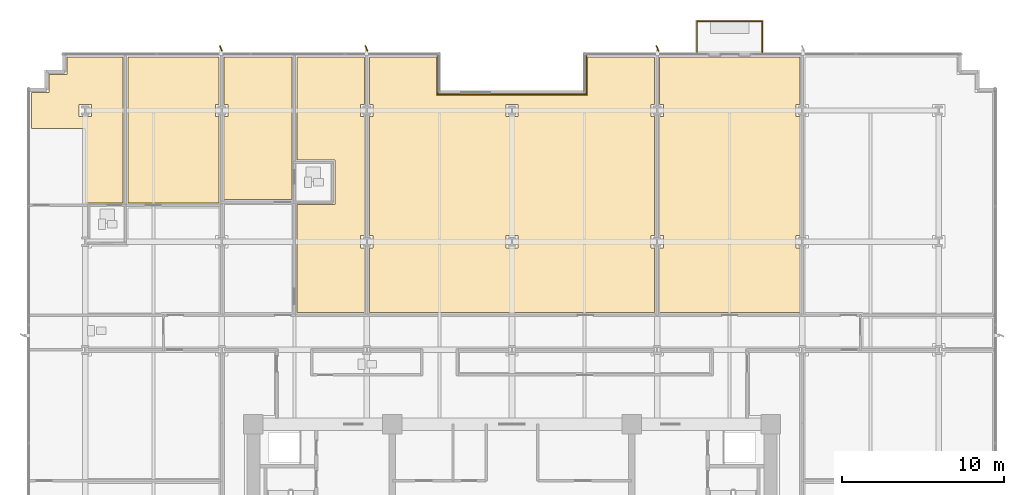
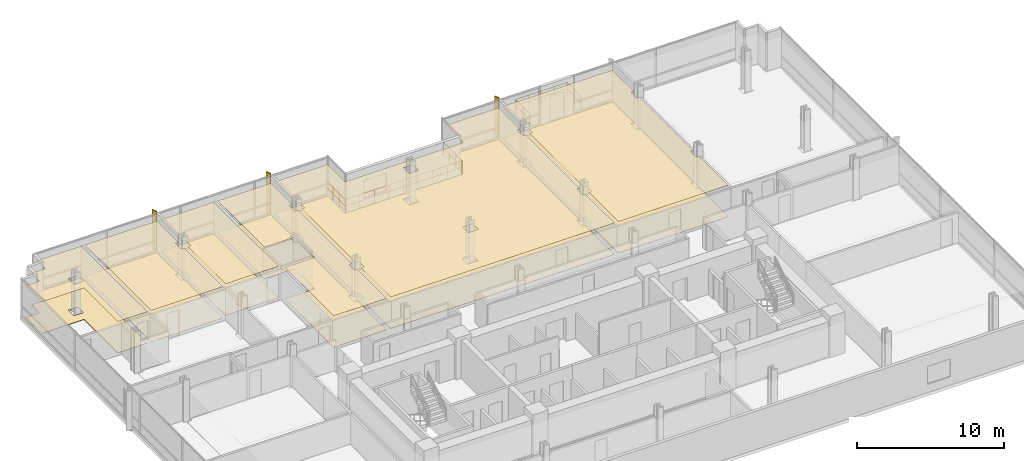
# One storey, part 19 of 21: 12 coverings, 6 railings, 3 shading devices.
"""IFC4 building model written with IfcOpenShell, lengths in metres."""

from ifc_helpers import new_model, si_unit, direction, frame, origin, origin_2d, place, context, subcontext, project, spatial, polyline, rectangle, circle, outline, extrude, material, layer, layer_set, type_object, element, save


model = new_model("IFC4")

# Units and contexts
model_context = context("Model", 3, precision=1e-05, world=origin(), true_north=direction((0.0, 1.0)))
body_context = subcontext(model_context, "Body", "Model", "MODEL_VIEW")
ifc_project = project(units=[si_unit("LENGTHUNIT", "METRE"), si_unit("AREAUNIT", "SQUARE_METRE"), si_unit("VOLUMEUNIT", "CUBIC_METRE"), si_unit("PLANEANGLEUNIT", "RADIAN"), si_unit("MASSUNIT", "GRAM", prefix="KILO")], contexts=[model_context])

# Site, building, storey
site_placement = place(None, origin())
site = spatial("IfcSite", under=ifc_project, at=site_placement, CompositionType="ELEMENT")
building_placement = place(site_placement, origin())
building = spatial("IfcBuilding", under=site, at=building_placement, Name="Solmavex Isthmus Hotel", CompositionType="ELEMENT")
storey_placement = place(building_placement, frame((0.0, 0.0, 60.89990234375)))
storey = spatial("IfcBuildingStorey", under=building, at=storey_placement, Name="L16", CompositionType="ELEMENT", Elevation=60.89990234375)

# Coverings
ifc_material_1 = material(Name="Gypsum plasterboard lining", Category="gypsum")
ifc_layer_1 = layer(ifc_material_1, 0.030029296875)
ifc_layer_set_1 = layer_set([ifc_layer_1], Name="Gypsum plasterboard lining")
covering_type_1 = type_object("IfcCoveringType", Name="COV-CEIL-GYP", PredefinedType="CEILING", material=ifc_layer_set_1)
covering_1_placement = place(storey_placement, frame((0.0, 0.0, 2.6201171875)))
element("IfcCovering", 1, at=covering_1_placement, inside=storey, type_object=covering_type_1, Name="Suspended Acoustic Ceiling L16-HB01", PredefinedType="CEILING", context=body_context, shape_type="SweptSolid", body=[
    extrude(outline(polyline([(-28.625, 18.02490234375), (-29.72509765625, 18.02490234375), (-29.72509765625, 15.800048828125), (-26.39990234375, 15.800048828125), (-26.39990234375, 11.193115234375), (-24.071044921875, 11.193115234375), (-24.071044921875, 20.22509765625), (-27.52490234375, 20.22509765625), (-27.52490234375, 19.125), (-28.625, 19.125), (-28.625, 18.02490234375)]), holes=[polyline([(-26.780029296875, 17.280029296875), (-26.02001953125, 17.280029296875), (-26.02001953125, 16.52001953125), (-26.780029296875, 16.52001953125), (-26.780029296875, 17.280029296875)])]), origin(), (0.0, 0.0, 1.0), 0.030029296875),
])
covering_2_placement = place(storey_placement, frame((0.0, 0.0, 2.6201171875)))
element("IfcCovering", 2, at=covering_2_placement, inside=storey, type_object=covering_type_1, Name="Suspended Acoustic Ceiling L16-HP01", PredefinedType="CEILING", context=body_context, shape_type="SweptSolid", body=[
    extrude(outline(polyline([(-18.10693359375, 16.52001953125), (-18.33203125, 16.52001953125), (-18.33203125, 17.280029296875), (-18.10693359375, 17.280029296875), (-18.10693359375, 20.22509765625), (-23.760986328125, 20.22509765625), (-23.760986328125, 11.193115234375), (-18.10693359375, 11.193115234375), (-18.10693359375, 16.52001953125)])), origin(), (0.0, 0.0, 1.0), 0.030029296875),
])
covering_3_placement = place(storey_placement, frame((0.0, 0.0, 2.6201171875)))
element("IfcCovering", 3, at=covering_3_placement, inside=storey, type_object=covering_type_1, Name="Suspended Acoustic Ceiling L16-SL02-BD", PredefinedType="CEILING", context=body_context, shape_type="SweptSolid", body=[
    extrude(outline(polyline([(-17.797119140625, 17.280029296875), (-17.572021484375, 17.280029296875), (-17.572021484375, 16.52001953125), (-17.797119140625, 16.52001953125), (-17.797119140625, 11.39306640625), (-13.618896484375, 11.39306640625), (-13.618896484375, 20.22509765625), (-17.797119140625, 20.22509765625), (-17.797119140625, 17.280029296875)])), origin(), (0.0, 0.0, 1.0), 0.030029296875),
])
covering_4_placement = place(storey_placement, frame((0.0, 0.0, 2.6201171875)))
element("IfcCovering", 4, at=covering_4_placement, inside=storey, type_object=covering_type_1, Name="Suspended Acoustic Ceiling L16-SV02", PredefinedType="CEILING", context=body_context, shape_type="SweptSolid", body=[
    extrude(outline(polyline([(-9.131103515625, 16.52001953125), (-9.35595703125, 16.52001953125), (-9.35595703125, 17.280029296875), (-9.131103515625, 17.280029296875), (-9.131103515625, 20.22509765625), (-13.30908203125, 20.22509765625), (-13.30908203125, 13.843017578125), (-10.958984375, 13.843017578125), (-10.958984375, 11.0830078125), (-13.30908203125, 11.0830078125), (-13.30908203125, 4.405029296875), (-9.131103515625, 4.405029296875), (-9.131103515625, 8.407958984375), (-9.35595703125, 8.407958984375), (-9.35595703125, 9.16796875), (-9.131103515625, 9.16796875), (-9.131103515625, 16.52001953125)])), origin(), (0.0, 0.0, 1.0), 0.030029296875),
])
covering_5_placement = place(storey_placement, frame((0.0, 0.0, 2.6201171875)))
element("IfcCovering", 5, at=covering_5_placement, inside=storey, type_object=covering_type_1, Name="Suspended Acoustic Ceiling L16-RM03", PredefinedType="CEILING", context=body_context, shape_type="SweptSolid", body=[
    extrude(outline(polyline([(-8.821044921875, 9.16796875), (-8.595947265625, 9.16796875), (-8.595947265625, 8.407958984375), (-8.821044921875, 8.407958984375), (-8.821044921875, 4.405029296875), (8.821044921875, 4.405029296875), (8.821044921875, 8.407958984375), (8.595947265625, 8.407958984375), (8.595947265625, 9.16796875), (8.821044921875, 9.16796875), (8.821044921875, 16.52001953125), (8.595947265625, 16.52001953125), (8.595947265625, 17.280029296875), (8.821044921875, 17.280029296875), (8.821044921875, 20.22509765625), (4.655029296875, 20.22509765625), (4.655029296875, 17.844970703125), (-4.655029296875, 17.844970703125), (-4.655029296875, 20.22509765625), (-8.821044921875, 20.22509765625), (-8.821044921875, 17.280029296875), (-8.595947265625, 17.280029296875), (-8.595947265625, 16.52001953125), (-8.821044921875, 16.52001953125), (-8.821044921875, 9.16796875)]), holes=[polyline([(-0.3798828125, 8.407958984375), (-0.3798828125, 9.16796875), (0.3798828125, 9.16796875), (0.3798828125, 8.407958984375), (-0.3798828125, 8.407958984375)]), polyline([(-0.3798828125, 17.280029296875), (0.3798828125, 17.280029296875), (0.3798828125, 16.52001953125), (-0.3798828125, 16.52001953125), (-0.3798828125, 17.280029296875)])]), origin(), (0.0, 0.0, 1.0), 0.030029296875),
])
covering_6_placement = place(storey_placement, frame((0.0, 0.0, 2.6201171875)))
element("IfcCovering", 6, at=covering_6_placement, inside=storey, type_object=covering_type_1, Name="Suspended Acoustic Ceiling L16-RM04", PredefinedType="CEILING", context=body_context, shape_type="SweptSolid", body=[
    extrude(outline(polyline([(9.131103515625, 9.16796875), (9.35595703125, 9.16796875), (9.35595703125, 8.407958984375), (9.131103515625, 8.407958984375), (9.131103515625, 4.405029296875), (17.797119140625, 4.405029296875), (17.797119140625, 8.407958984375), (17.572021484375, 8.407958984375), (17.572021484375, 9.16796875), (17.797119140625, 9.16796875), (17.797119140625, 16.52001953125), (17.572021484375, 16.52001953125), (17.572021484375, 17.280029296875), (17.797119140625, 17.280029296875), (17.797119140625, 20.22509765625), (9.131103515625, 20.22509765625), (9.131103515625, 17.280029296875), (9.35595703125, 17.280029296875), (9.35595703125, 16.52001953125), (9.131103515625, 16.52001953125), (9.131103515625, 9.16796875)])), origin(), (0.0, 0.0, 1.0), 0.030029296875),
])
ifc_material_2 = material(Name="Travertine natural stone", Category="masonry")
ifc_layer_2 = layer(ifc_material_2, 0.02490234375)
ifc_layer_set_2 = layer_set([ifc_layer_2], Name="Travertine natural stone")
covering_type_2 = type_object("IfcCoveringType", Name="COV-FLOR-STN", PredefinedType="FLOORING", material=ifc_layer_set_2)
covering_7_placement = place(storey_placement, origin())
element("IfcCovering", 7, at=covering_7_placement, inside=storey, type_object=covering_type_2, Name="Stone and Timber Floor Finish L16-HB01", PredefinedType="FLOORING", context=body_context, shape_type="SweptSolid", body=[
    extrude(outline(polyline([(-28.625, 18.02490234375), (-29.72509765625, 18.02490234375), (-29.72509765625, 15.800048828125), (-26.39990234375, 15.800048828125), (-26.39990234375, 11.193115234375), (-24.071044921875, 11.193115234375), (-24.071044921875, 20.22509765625), (-27.52490234375, 20.22509765625), (-27.52490234375, 19.125), (-28.625, 19.125), (-28.625, 18.02490234375)]), holes=[polyline([(-26.780029296875, 17.280029296875), (-26.02001953125, 17.280029296875), (-26.02001953125, 16.52001953125), (-26.780029296875, 16.52001953125), (-26.780029296875, 17.280029296875)])]), origin(), (0.0, 0.0, 1.0), 0.025146484375),
])
covering_8_placement = place(storey_placement, origin())
element("IfcCovering", 8, at=covering_8_placement, inside=storey, type_object=covering_type_2, Name="Stone and Timber Floor Finish L16-HP01", PredefinedType="FLOORING", context=body_context, shape_type="SweptSolid", body=[
    extrude(outline(polyline([(-18.10693359375, 16.52001953125), (-18.33203125, 16.52001953125), (-18.33203125, 17.280029296875), (-18.10693359375, 17.280029296875), (-18.10693359375, 20.22509765625), (-23.760986328125, 20.22509765625), (-23.760986328125, 11.193115234375), (-18.10693359375, 11.193115234375), (-18.10693359375, 16.52001953125)])), origin(), (0.0, 0.0, 1.0), 0.025146484375),
])
covering_9_placement = place(storey_placement, origin())
element("IfcCovering", 9, at=covering_9_placement, inside=storey, type_object=covering_type_2, Name="Stone and Timber Floor Finish L16-SL02-BD", PredefinedType="FLOORING", context=body_context, shape_type="SweptSolid", body=[
    extrude(outline(polyline([(-17.797119140625, 17.280029296875), (-17.572021484375, 17.280029296875), (-17.572021484375, 16.52001953125), (-17.797119140625, 16.52001953125), (-17.797119140625, 11.39306640625), (-13.618896484375, 11.39306640625), (-13.618896484375, 20.22509765625), (-17.797119140625, 20.22509765625), (-17.797119140625, 17.280029296875)])), origin(), (0.0, 0.0, 1.0), 0.025146484375),
])
covering_10_placement = place(storey_placement, origin())
element("IfcCovering", 10, at=covering_10_placement, inside=storey, type_object=covering_type_2, Name="Stone and Timber Floor Finish L16-SV02", PredefinedType="FLOORING", context=body_context, shape_type="SweptSolid", body=[
    extrude(outline(polyline([(-9.131103515625, 16.52001953125), (-9.35595703125, 16.52001953125), (-9.35595703125, 17.280029296875), (-9.131103515625, 17.280029296875), (-9.131103515625, 20.22509765625), (-13.30908203125, 20.22509765625), (-13.30908203125, 13.843017578125), (-10.958984375, 13.843017578125), (-10.958984375, 11.0830078125), (-13.30908203125, 11.0830078125), (-13.30908203125, 4.405029296875), (-9.131103515625, 4.405029296875), (-9.131103515625, 8.407958984375), (-9.35595703125, 8.407958984375), (-9.35595703125, 9.16796875), (-9.131103515625, 9.16796875), (-9.131103515625, 16.52001953125)])), origin(), (0.0, 0.0, 1.0), 0.025146484375),
])
covering_11_placement = place(storey_placement, origin())
element("IfcCovering", 11, at=covering_11_placement, inside=storey, type_object=covering_type_2, Name="Stone and Timber Floor Finish L16-RM03", PredefinedType="FLOORING", context=body_context, shape_type="SweptSolid", body=[
    extrude(outline(polyline([(-8.821044921875, 9.16796875), (-8.595947265625, 9.16796875), (-8.595947265625, 8.407958984375), (-8.821044921875, 8.407958984375), (-8.821044921875, 4.405029296875), (8.821044921875, 4.405029296875), (8.821044921875, 8.407958984375), (8.595947265625, 8.407958984375), (8.595947265625, 9.16796875), (8.821044921875, 9.16796875), (8.821044921875, 16.52001953125), (8.595947265625, 16.52001953125), (8.595947265625, 17.280029296875), (8.821044921875, 17.280029296875), (8.821044921875, 20.22509765625), (4.655029296875, 20.22509765625), (4.655029296875, 17.844970703125), (-4.655029296875, 17.844970703125), (-4.655029296875, 20.22509765625), (-8.821044921875, 20.22509765625), (-8.821044921875, 17.280029296875), (-8.595947265625, 17.280029296875), (-8.595947265625, 16.52001953125), (-8.821044921875, 16.52001953125), (-8.821044921875, 9.16796875)]), holes=[polyline([(-0.3798828125, 8.407958984375), (-0.3798828125, 9.16796875), (0.3798828125, 9.16796875), (0.3798828125, 8.407958984375), (-0.3798828125, 8.407958984375)]), polyline([(-0.3798828125, 17.280029296875), (0.3798828125, 17.280029296875), (0.3798828125, 16.52001953125), (-0.3798828125, 16.52001953125), (-0.3798828125, 17.280029296875)])]), origin(), (0.0, 0.0, 1.0), 0.025146484375),
])
covering_12_placement = place(storey_placement, origin())
element("IfcCovering", 12, at=covering_12_placement, inside=storey, type_object=covering_type_2, Name="Stone and Timber Floor Finish L16-RM04", PredefinedType="FLOORING", context=body_context, shape_type="SweptSolid", body=[
    extrude(outline(polyline([(9.131103515625, 9.16796875), (9.35595703125, 9.16796875), (9.35595703125, 8.407958984375), (9.131103515625, 8.407958984375), (9.131103515625, 4.405029296875), (17.797119140625, 4.405029296875), (17.797119140625, 8.407958984375), (17.572021484375, 8.407958984375), (17.572021484375, 9.16796875), (17.797119140625, 9.16796875), (17.797119140625, 16.52001953125), (17.572021484375, 16.52001953125), (17.572021484375, 17.280029296875), (17.797119140625, 17.280029296875), (17.797119140625, 20.22509765625), (9.131103515625, 20.22509765625), (9.131103515625, 17.280029296875), (9.35595703125, 17.280029296875), (9.35595703125, 16.52001953125), (9.131103515625, 16.52001953125), (9.131103515625, 9.16796875)])), origin(), (0.0, 0.0, 1.0), 0.025146484375),
])

# Railings
ifc_material_3 = material(Name="Clear low-E laminated glass", Category="glass")
ifc_layer_3 = layer(ifc_material_3, 0.080078125)
ifc_layer_set_3 = layer_set([ifc_layer_3], Name="Clear low-E laminated glass")
railing_type_1 = type_object("IfcRailingType", Name="RAIL-ATRIUM-1120", PredefinedType="BALUSTRADE", material=ifc_layer_set_3)
railing_1_placement = place(storey_placement, frame((-4.60009765625, 20.419921875, 0.0)))
element("IfcRailing", 13, at=railing_1_placement, inside=storey, type_object=railing_type_1, Name="Guardrail Balustrade L16-SGV-01", PredefinedType="BALUSTRADE", context=body_context, shape_type="SweptSolid", body=[
    extrude(circle(Radius=0.02392578125, at=origin_2d()), frame((0.0, 0.0, 1.1259765625), z_axis=(0.0, -1.0, 0.0), x_axis=(1.0, 0.0, 0.0)), (0.0, 0.0, 1.0), 2.52001953125),
    extrude(circle(Radius=0.02392578125, at=origin_2d()), frame((0.0, 0.0, 0.574951171875), z_axis=(0.0, -1.0, 0.0), x_axis=(1.0, 0.0, 0.0)), (0.0, 0.0, 1.0), 2.52001953125),
    extrude(circle(Radius=0.02099609375, at=origin_2d()), origin(), (0.0, 0.0, 1.0), 1.101806640625),
    extrude(circle(Radius=0.02099609375, at=origin_2d()), frame((0.0, -0.840087890625, 0.0)), (0.0, 0.0, 1.0), 1.101806640625),
    extrude(circle(Radius=0.02099609375, at=origin_2d()), frame((0.0, -1.679931640625, 0.0)), (0.0, 0.0, 1.0), 1.101806640625),
    extrude(circle(Radius=0.02099609375, at=origin_2d()), frame((0.0, -2.52001953125, 0.0)), (0.0, 0.0, 1.0), 1.101806640625),
])
railing_2_placement = place(storey_placement, frame((-4.60009765625, 17.89990234375, 0.0)))
element("IfcRailing", 14, at=railing_2_placement, inside=storey, type_object=railing_type_1, Name="Guardrail Balustrade L16-SGV-02", PredefinedType="BALUSTRADE", context=body_context, shape_type="SweptSolid", body=[
    extrude(circle(Radius=0.02392578125, at=origin_2d()), frame((0.0, 0.0, 1.1259765625), z_axis=(1.0, 0.0, 0.0), x_axis=(0.0, 1.0, 0.0)), (0.0, 0.0, 1.0), 9.2001953125),
    extrude(circle(Radius=0.02392578125, at=origin_2d()), frame((0.0, 0.0, 0.574951171875), z_axis=(1.0, 0.0, 0.0), x_axis=(0.0, 1.0, 0.0)), (0.0, 0.0, 1.0), 9.2001953125),
    extrude(circle(Radius=0.02099609375, at=origin_2d()), origin(), (0.0, 0.0, 1.0), 1.101806640625),
    extrude(circle(Radius=0.02099609375, at=origin_2d()), frame((1.14990234375, 0.0, 0.0)), (0.0, 0.0, 1.0), 1.101806640625),
    extrude(circle(Radius=0.02099609375, at=origin_2d()), frame((2.300048828125, 0.0, 0.0)), (0.0, 0.0, 1.0), 1.101806640625),
    extrude(circle(Radius=0.02099609375, at=origin_2d()), frame((3.4501953125, 0.0, 0.0)), (0.0, 0.0, 1.0), 1.101806640625),
    extrude(circle(Radius=0.02099609375, at=origin_2d()), frame((4.60009765625, 0.0, 0.0)), (0.0, 0.0, 1.0), 1.101806640625),
    extrude(circle(Radius=0.02099609375, at=origin_2d()), frame((5.75, 0.0, 0.0)), (0.0, 0.0, 1.0), 1.101806640625),
    extrude(circle(Radius=0.02099609375, at=origin_2d()), frame((6.900146484375, 0.0, 0.0)), (0.0, 0.0, 1.0), 1.101806640625),
    extrude(circle(Radius=0.02099609375, at=origin_2d()), frame((8.05029296875, 0.0, 0.0)), (0.0, 0.0, 1.0), 1.101806640625),
    extrude(circle(Radius=0.02099609375, at=origin_2d()), frame((9.2001953125, 0.0, 0.0)), (0.0, 0.0, 1.0), 1.101806640625),
])
railing_3_placement = place(storey_placement, frame((4.60009765625, 17.89990234375, 0.0)))
element("IfcRailing", 15, at=railing_3_placement, inside=storey, type_object=railing_type_1, Name="Guardrail Balustrade L16-SGV-03", PredefinedType="BALUSTRADE", context=body_context, shape_type="SweptSolid", body=[
    extrude(circle(Radius=0.02392578125, at=origin_2d()), frame((0.0, 0.0, 1.1259765625), z_axis=(0.0, 1.0, 0.0), x_axis=(-1.0, 0.0, 0.0)), (0.0, 0.0, 1.0), 2.52001953125),
    extrude(circle(Radius=0.02392578125, at=origin_2d()), frame((0.0, 0.0, 0.574951171875), z_axis=(0.0, 1.0, 0.0), x_axis=(-1.0, 0.0, 0.0)), (0.0, 0.0, 1.0), 2.52001953125),
    extrude(circle(Radius=0.02099609375, at=origin_2d()), origin(), (0.0, 0.0, 1.0), 1.101806640625),
    extrude(circle(Radius=0.02099609375, at=origin_2d()), frame((0.0, 0.840087890625, 0.0)), (0.0, 0.0, 1.0), 1.101806640625),
    extrude(circle(Radius=0.02099609375, at=origin_2d()), frame((0.0, 1.679931640625, 0.0)), (0.0, 0.0, 1.0), 1.101806640625),
    extrude(circle(Radius=0.02099609375, at=origin_2d()), frame((0.0, 2.52001953125, 0.0)), (0.0, 0.0, 1.0), 1.101806640625),
])
ifc_layer_4 = layer(ifc_material_3, 0.070068359375)
ifc_layer_set_4 = layer_set([ifc_layer_4], Name="Clear low-E laminated glass")
railing_type_2 = type_object("IfcRailingType", Name="RAIL-GUARD-1100", PredefinedType="BALUSTRADE", material=ifc_layer_set_4)
railing_4_placement = place(storey_placement, frame((11.444091796875, 20.5, 0.0)))
element("IfcRailing", 16, at=railing_4_placement, inside=storey, type_object=railing_type_2, Name="Guardrail Balustrade L16-BAL2-01", PredefinedType="BALUSTRADE", context=body_context, shape_type="SweptSolid", body=[
    extrude(circle(Radius=0.02392578125, at=origin_2d()), frame((0.0, 0.0, 1.09619140625), z_axis=(0.0, 1.0, 0.0), x_axis=(-1.0, 0.0, 0.0)), (0.0, 0.0, 1.0), 1.919921875),
    extrude(circle(Radius=0.02392578125, at=origin_2d()), frame((0.0, 0.0, 0.56005859375), z_axis=(0.0, 1.0, 0.0), x_axis=(-1.0, 0.0, 0.0)), (0.0, 0.0, 1.0), 1.919921875),
    extrude(circle(Radius=0.02099609375, at=origin_2d()), origin(), (0.0, 0.0, 1.0), 1.072021484375),
    extrude(circle(Radius=0.02099609375, at=origin_2d()), frame((0.0, 0.9599609375, 0.0)), (0.0, 0.0, 1.0), 1.072021484375),
    extrude(circle(Radius=0.02099609375, at=origin_2d()), frame((0.0, 1.919921875, 0.0)), (0.0, 0.0, 1.0), 1.072021484375),
])
railing_5_placement = place(storey_placement, frame((11.444091796875, 22.419921875, 0.0)))
element("IfcRailing", 17, at=railing_5_placement, inside=storey, type_object=railing_type_2, Name="Guardrail Balustrade L16-BAL2-02", PredefinedType="BALUSTRADE", context=body_context, shape_type="SweptSolid", body=[
    extrude(circle(Radius=0.02392578125, at=origin_2d()), frame((0.0, 0.0, 1.09619140625), z_axis=(1.0, 0.0, 0.0), x_axis=(0.0, 1.0, 0.0)), (0.0, 0.0, 1.0), 4.039794921875),
    extrude(circle(Radius=0.02392578125, at=origin_2d()), frame((0.0, 0.0, 0.56005859375), z_axis=(1.0, 0.0, 0.0), x_axis=(0.0, 1.0, 0.0)), (0.0, 0.0, 1.0), 4.039794921875),
    extrude(circle(Radius=0.02099609375, at=origin_2d()), origin(), (0.0, 0.0, 1.0), 1.072021484375),
    extrude(circle(Radius=0.02099609375, at=origin_2d()), frame((1.010009765625, 0.0, 0.0)), (0.0, 0.0, 1.0), 1.072021484375),
    extrude(circle(Radius=0.02099609375, at=origin_2d()), frame((2.02001953125, 0.0, 0.0)), (0.0, 0.0, 1.0), 1.072021484375),
    extrude(circle(Radius=0.02099609375, at=origin_2d()), frame((3.02978515625, 0.0, 0.0)), (0.0, 0.0, 1.0), 1.072021484375),
    extrude(circle(Radius=0.02099609375, at=origin_2d()), frame((4.039794921875, 0.0, 0.0)), (0.0, 0.0, 1.0), 1.072021484375),
])
railing_6_placement = place(storey_placement, frame((15.48388671875, 22.419921875, 0.0)))
element("IfcRailing", 18, at=railing_6_placement, inside=storey, type_object=railing_type_2, Name="Guardrail Balustrade L16-BAL2-03", PredefinedType="BALUSTRADE", context=body_context, shape_type="SweptSolid", body=[
    extrude(circle(Radius=0.02392578125, at=origin_2d()), frame((0.0, 0.0, 1.09619140625), z_axis=(0.0, -1.0, 0.0), x_axis=(1.0, 0.0, 0.0)), (0.0, 0.0, 1.0), 1.919921875),
    extrude(circle(Radius=0.02392578125, at=origin_2d()), frame((0.0, 0.0, 0.56005859375), z_axis=(0.0, -1.0, 0.0), x_axis=(1.0, 0.0, 0.0)), (0.0, 0.0, 1.0), 1.919921875),
    extrude(circle(Radius=0.02099609375, at=origin_2d()), origin(), (0.0, 0.0, 1.0), 1.072021484375),
    extrude(circle(Radius=0.02099609375, at=origin_2d()), frame((0.0, -0.9599609375, 0.0)), (0.0, 0.0, 1.0), 1.072021484375),
    extrude(circle(Radius=0.02099609375, at=origin_2d()), frame((0.0, -1.919921875, 0.0)), (0.0, 0.0, 1.0), 1.072021484375),
])

# Shading devices
ifc_material_4 = material(Name="Aluminium alloy 6063-T6", Category="aluminium")
shading_device_type = type_object("IfcShadingDeviceType", Name="SHD-FIN-CHAMP", PredefinedType="USERDEFINED", material=ifc_material_4)
for number, where, z_axis, x_axis, name in (
    (19, (-18.0, 20.739990234375, -0.139892578125), (0.0, 0.0, 1.0), (-0.438371146789, 0.898794046299, 0.0), "Anodised Aluminium Solar Fin L16-N1"),
    (20, (-9.0, 20.739990234375, -0.139892578125), (0.0, 0.0, 1.0), (-0.438371146789, 0.898794046299, 0.0), "Anodised Aluminium Solar Fin L16-N2"),
    (21, (9.0, 20.739990234375, -0.139892578125), (0.0, 0.0, 1.0), (-0.438371146789, 0.898794046299, 0.0), "Anodised Aluminium Solar Fin L16-N3"),
):
    element("IfcShadingDevice", number, at=place(storey_placement, frame(where, z_axis=z_axis, x_axis=x_axis)), inside=storey, type_object=shading_device_type, Name=name, ObjectType="SOLAR_FIN", PredefinedType="USERDEFINED", context=body_context, shape_type="SweptSolid", body=[
        extrude(rectangle(XDim=0.3798828125, YDim=0.070068359375, at=origin_2d()), origin(), (0.0, 0.0, 1.0), 3.330078125),
    ])

save(model, "model.ifc")
